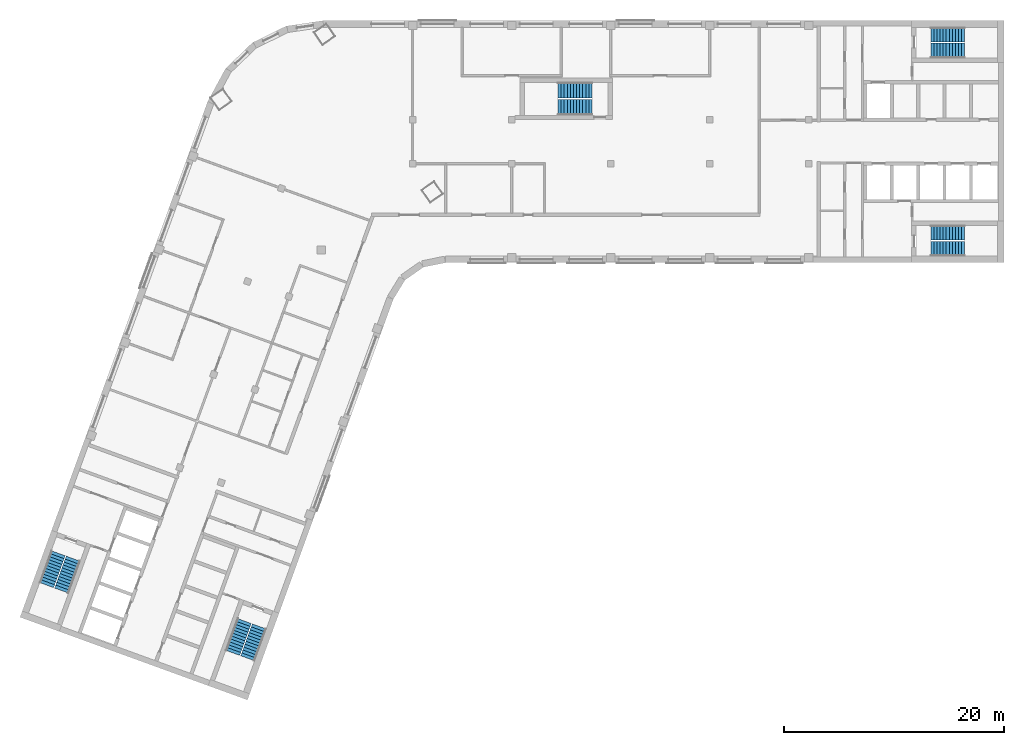
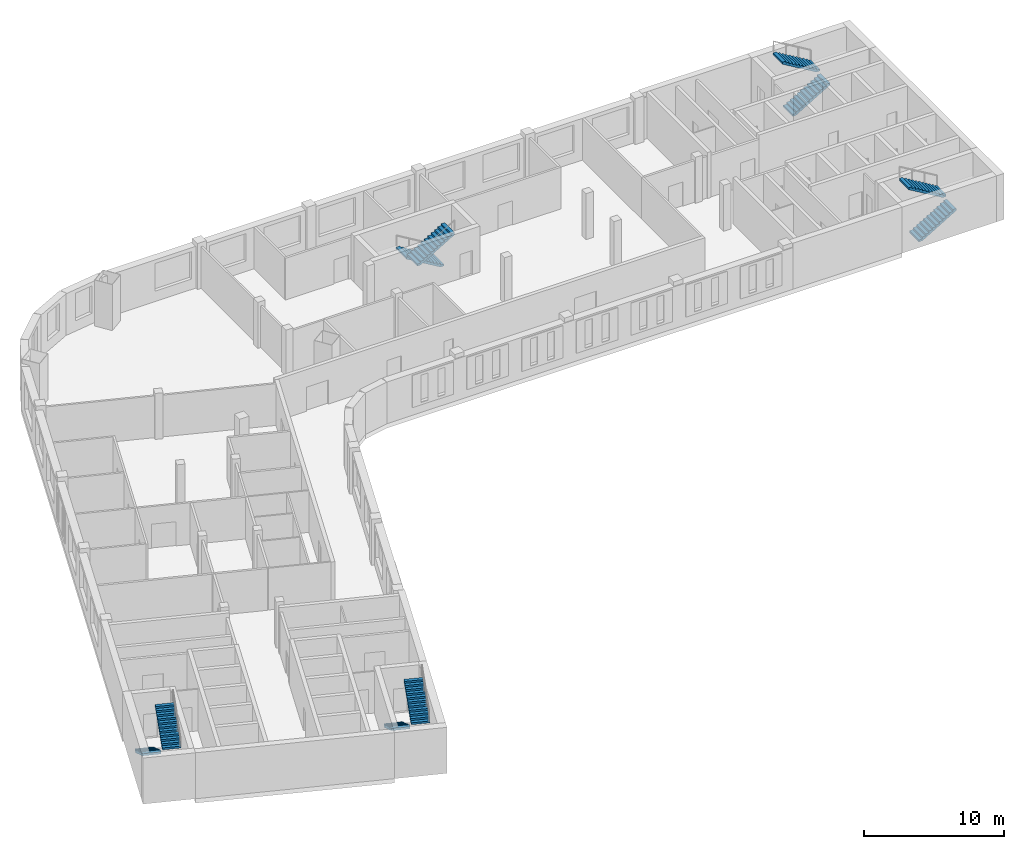
# One storey, part 7 of 8: 10 stair flights, 5 elements without a shape of their own.
"""IFC4 building model written with IfcOpenShell, lengths in metres."""

from ifc_helpers import new_model, si_unit, direction, frame, origin, place, context, subcontext, project, spatial, polyline, outline, extrude, material, type_object, element, aggregate, save


model = new_model("IFC4")

# Units and contexts
model_context = context("Model", 3, precision=1e-05, world=origin(), true_north=direction((0.0, 1.0)))
body_context = subcontext(model_context, "Body", "Model", "MODEL_VIEW")
ifc_project = project(units=[si_unit("LENGTHUNIT", "METRE"), si_unit("AREAUNIT", "SQUARE_METRE"), si_unit("VOLUMEUNIT", "CUBIC_METRE"), si_unit("PLANEANGLEUNIT", "RADIAN"), si_unit("MASSUNIT", "GRAM", prefix="KILO")], contexts=[model_context])

# Site, building, storey
site_placement = place(None, origin())
site = spatial("IfcSite", under=ifc_project, at=site_placement, CompositionType="ELEMENT")
building_placement = place(site_placement, origin())
building = spatial("IfcBuilding", under=site, at=building_placement, Name="Skarvind Civic Tower", CompositionType="ELEMENT")
storey_placement = place(building_placement, frame((0.0, 0.0, 232.0)))
storey = spatial("IfcBuildingStorey", under=building, at=storey_placement, Name="L55", CompositionType="ELEMENT", Elevation=232.0)

# Stair, stair flights
ifc_material = material(Name="Concrete C40/50", Category="concrete")
stair_type_1 = type_object("IfcStairType", Name="Exit stair 1450, half-turn, concrete", PredefinedType="HALF_TURN_STAIR", material=ifc_material)
stair_1_placement = place(storey_placement, origin())
stair_1 = element("IfcStair", 1, at=stair_1_placement, inside=storey, type_object=stair_type_1, Name="Exit stair CM", PredefinedType="HALF_TURN_STAIR")
stair_flight_type_1 = type_object("IfcStairFlightType", Name="Stair flight 1450, concrete", PredefinedType="STRAIGHT", material=ifc_material)
stair_flight_1_placement = place(storey_placement, frame((70.550048828125, 132.675048828125, 0.0), z_axis=(0.0, 0.0, 1.0), x_axis=(-1.0, 0.0, 0.0)))
stair_flight_1 = element("IfcStairFlight", 2, at=stair_flight_1_placement, type_object=stair_flight_type_1, Name="ST-CM flight 1", NumberOfRisers=12, NumberOfTreads=11, PredefinedType="STRAIGHT", RiserHeight=0.166666667, TreadLength=0.28, context=body_context, shape_type="SweptSolid", body=[
    extrude(outline(polyline([(0.0, 0.0), (0.0, 0.166748046875), (0.280029296875, 0.166748046875), (0.280029296875, 0.333251953125), (0.56005859375, 0.333251953125), (0.56005859375, 0.5), (0.840087890625, 0.5), (0.840087890625, 0.666748046875), (1.1201171875, 0.666748046875), (1.1201171875, 0.833251953125), (1.39990234375, 0.833251953125), (1.39990234375, 1.0), (1.679931640625, 1.0), (1.679931640625, 1.166748046875), (1.9599609375, 1.166748046875), (1.9599609375, 1.333251953125), (2.239990234375, 1.333251953125), (2.239990234375, 1.5), (2.52001953125, 1.5), (2.52001953125, 1.666748046875), (2.800048828125, 1.666748046875), (2.800048828125, 1.833251953125), (3.080078125, 1.833251953125), (3.080078125, 2.0), (3.080078125, 1.658935546875), (0.29296875, 0.0), (0.0, 0.0)])), frame((0.0, 0.72509765625, 0.0), z_axis=(0.0, -1.0, 0.0), x_axis=(1.0, 0.0, 0.0)), (0.0, 0.0, 1.0), 1.449951171875),
])
stair_flight_2_placement = place(storey_placement, frame((67.469970703125, 131.125, 2.0), z_axis=(0.0, 0.0, 1.0), x_axis=(1.0, 0.0, 0.0)))
stair_flight_2 = element("IfcStairFlight", 3, at=stair_flight_2_placement, type_object=stair_flight_type_1, Name="ST-CM flight 2", NumberOfRisers=12, NumberOfTreads=11, PredefinedType="STRAIGHT", RiserHeight=0.166666667, TreadLength=0.28, context=body_context, shape_type="SweptSolid", body=[
    extrude(outline(polyline([(0.0, 0.0), (0.0, 0.166748046875), (0.280029296875, 0.166748046875), (0.280029296875, 0.333251953125), (0.56005859375, 0.333251953125), (0.56005859375, 0.5), (0.840087890625, 0.5), (0.840087890625, 0.666748046875), (1.1201171875, 0.666748046875), (1.1201171875, 0.833251953125), (1.39990234375, 0.833251953125), (1.39990234375, 1.0), (1.679931640625, 1.0), (1.679931640625, 1.166748046875), (1.9599609375, 1.166748046875), (1.9599609375, 1.333251953125), (2.239990234375, 1.333251953125), (2.239990234375, 1.5), (2.52001953125, 1.5), (2.52001953125, 1.666748046875), (2.800048828125, 1.666748046875), (2.800048828125, 1.833251953125), (3.080078125, 1.833251953125), (3.080078125, 2.0), (3.080078125, 1.658935546875), (0.29296875, 0.0), (0.0, 0.0)])), frame((0.0, 0.72509765625, 0.0), z_axis=(0.0, -1.0, 0.0), x_axis=(1.0, 0.0, 0.0)), (0.0, 0.0, 1.0), 1.449951171875),
])
aggregate(stair_1, [stair_flight_1, stair_flight_2])

stair_type_2 = type_object("IfcStairType", Name="Exit stair, half-turn, concrete", PredefinedType="HALF_TURN_STAIR", material=ifc_material)
stair_2_placement = place(storey_placement, origin())
stair_2 = element("IfcStair", 4, at=stair_2_placement, inside=storey, type_object=stair_type_2, Name="Exit stair C1S", PredefinedType="HALF_TURN_STAIR")
stair_flight_type_2 = type_object("IfcStairFlightType", Name="Stair flight, concrete", PredefinedType="STRAIGHT", material=ifc_material)
stair_flight_3_placement = place(storey_placement, frame((101.35009765625, 136.27490234375, 0.0), z_axis=(0.0, 0.0, 1.0), x_axis=(1.0, 0.0, 0.0)))
stair_flight_3 = element("IfcStairFlight", 5, at=stair_flight_3_placement, type_object=stair_flight_type_2, Name="ST-C1S flight 1", NumberOfRisers=12, NumberOfTreads=11, PredefinedType="STRAIGHT", RiserHeight=0.166666667, TreadLength=0.28, context=body_context, shape_type="SweptSolid", body=[
    extrude(outline(polyline([(0.0, 0.0), (0.0, 0.166748046875), (0.280029296875, 0.166748046875), (0.280029296875, 0.333251953125), (0.56005859375, 0.333251953125), (0.56005859375, 0.5), (0.840087890625, 0.5), (0.840087890625, 0.666748046875), (1.1201171875, 0.666748046875), (1.1201171875, 0.833251953125), (1.39990234375, 0.833251953125), (1.39990234375, 1.0), (1.679931640625, 1.0), (1.679931640625, 1.166748046875), (1.9599609375, 1.166748046875), (1.9599609375, 1.333251953125), (2.239990234375, 1.333251953125), (2.239990234375, 1.5), (2.52001953125, 1.5), (2.52001953125, 1.666748046875), (2.800048828125, 1.666748046875), (2.800048828125, 1.833251953125), (3.080078125, 1.833251953125), (3.080078125, 2.0), (3.080078125, 1.658935546875), (0.29296875, 0.0), (0.0, 0.0)])), frame((0.0, 0.675048828125, 0.0), z_axis=(0.0, -1.0, 0.0), x_axis=(1.0, 0.0, 0.0)), (0.0, 0.0, 1.0), 1.35009765625),
])
stair_flight_4_placement = place(storey_placement, frame((104.429931640625, 137.72509765625, 2.0), z_axis=(0.0, 0.0, 1.0), x_axis=(-1.0, 0.0, 0.0)))
stair_flight_4 = element("IfcStairFlight", 6, at=stair_flight_4_placement, type_object=stair_flight_type_2, Name="ST-C1S flight 2", NumberOfRisers=12, NumberOfTreads=11, PredefinedType="STRAIGHT", RiserHeight=0.166666667, TreadLength=0.28, context=body_context, shape_type="SweptSolid", body=[
    extrude(outline(polyline([(0.0, 0.0), (0.0, 0.166748046875), (0.280029296875, 0.166748046875), (0.280029296875, 0.333251953125), (0.56005859375, 0.333251953125), (0.56005859375, 0.5), (0.840087890625, 0.5), (0.840087890625, 0.666748046875), (1.1201171875, 0.666748046875), (1.1201171875, 0.833251953125), (1.39990234375, 0.833251953125), (1.39990234375, 1.0), (1.679931640625, 1.0), (1.679931640625, 1.166748046875), (1.9599609375, 1.166748046875), (1.9599609375, 1.333251953125), (2.239990234375, 1.333251953125), (2.239990234375, 1.5), (2.52001953125, 1.5), (2.52001953125, 1.666748046875), (2.800048828125, 1.666748046875), (2.800048828125, 1.833251953125), (3.080078125, 1.833251953125), (3.080078125, 2.0), (3.080078125, 1.658935546875), (0.29296875, 0.0), (0.0, 0.0)])), frame((0.0, 0.675048828125, 0.0), z_axis=(0.0, -1.0, 0.0), x_axis=(1.0, 0.0, 0.0)), (0.0, 0.0, 1.0), 1.35009765625),
])
aggregate(stair_2, [stair_flight_3, stair_flight_4])

stair_3_placement = place(storey_placement, origin())
stair_3 = element("IfcStair", 7, at=stair_3_placement, inside=storey, type_object=stair_type_2, Name="Exit stair C1N", PredefinedType="HALF_TURN_STAIR")
stair_flight_5_placement = place(storey_placement, frame((101.35009765625, 118.27490234375, 0.0), z_axis=(0.0, 0.0, 1.0), x_axis=(1.0, 0.0, 0.0)))
stair_flight_5 = element("IfcStairFlight", 8, at=stair_flight_5_placement, type_object=stair_flight_type_2, Name="ST-C1N flight 1", NumberOfRisers=12, NumberOfTreads=11, PredefinedType="STRAIGHT", RiserHeight=0.166666667, TreadLength=0.28, context=body_context, shape_type="SweptSolid", body=[
    extrude(outline(polyline([(0.0, 0.0), (0.0, 0.166748046875), (0.280029296875, 0.166748046875), (0.280029296875, 0.333251953125), (0.56005859375, 0.333251953125), (0.56005859375, 0.5), (0.840087890625, 0.5), (0.840087890625, 0.666748046875), (1.1201171875, 0.666748046875), (1.1201171875, 0.833251953125), (1.39990234375, 0.833251953125), (1.39990234375, 1.0), (1.679931640625, 1.0), (1.679931640625, 1.166748046875), (1.9599609375, 1.166748046875), (1.9599609375, 1.333251953125), (2.239990234375, 1.333251953125), (2.239990234375, 1.5), (2.52001953125, 1.5), (2.52001953125, 1.666748046875), (2.800048828125, 1.666748046875), (2.800048828125, 1.833251953125), (3.080078125, 1.833251953125), (3.080078125, 2.0), (3.080078125, 1.658935546875), (0.29296875, 0.0), (0.0, 0.0)])), frame((0.0, 0.675048828125, 0.0), z_axis=(0.0, -1.0, 0.0), x_axis=(1.0, 0.0, 0.0)), (0.0, 0.0, 1.0), 1.35009765625),
])
stair_flight_6_placement = place(storey_placement, frame((104.429931640625, 119.72509765625, 2.0), z_axis=(0.0, 0.0, 1.0), x_axis=(-1.0, 0.0, 0.0)))
stair_flight_6 = element("IfcStairFlight", 9, at=stair_flight_6_placement, type_object=stair_flight_type_2, Name="ST-C1N flight 2", NumberOfRisers=12, NumberOfTreads=11, PredefinedType="STRAIGHT", RiserHeight=0.166666667, TreadLength=0.28, context=body_context, shape_type="SweptSolid", body=[
    extrude(outline(polyline([(0.0, 0.0), (0.0, 0.166748046875), (0.280029296875, 0.166748046875), (0.280029296875, 0.333251953125), (0.56005859375, 0.333251953125), (0.56005859375, 0.5), (0.840087890625, 0.5), (0.840087890625, 0.666748046875), (1.1201171875, 0.666748046875), (1.1201171875, 0.833251953125), (1.39990234375, 0.833251953125), (1.39990234375, 1.0), (1.679931640625, 1.0), (1.679931640625, 1.166748046875), (1.9599609375, 1.166748046875), (1.9599609375, 1.333251953125), (2.239990234375, 1.333251953125), (2.239990234375, 1.5), (2.52001953125, 1.5), (2.52001953125, 1.666748046875), (2.800048828125, 1.666748046875), (2.800048828125, 1.833251953125), (3.080078125, 1.833251953125), (3.080078125, 2.0), (3.080078125, 1.658935546875), (0.29296875, 0.0), (0.0, 0.0)])), frame((0.0, 0.675048828125, 0.0), z_axis=(0.0, -1.0, 0.0), x_axis=(1.0, 0.0, 0.0)), (0.0, 0.0, 1.0), 1.35009765625),
])
aggregate(stair_3, [stair_flight_5, stair_flight_6])

stair_4_placement = place(storey_placement, origin())
stair_4 = element("IfcStair", 10, at=stair_4_placement, inside=storey, type_object=stair_type_2, Name="Exit stair C2S", PredefinedType="HALF_TURN_STAIR")
stair_flight_7_placement = place(storey_placement, frame((38.949462890625, 84.43408203125, 0.0), z_axis=(0.0, 0.0, 1.0), x_axis=(-0.342020143326, -0.939692620786, 0.0)))
stair_flight_7 = element("IfcStairFlight", 11, at=stair_flight_7_placement, type_object=stair_flight_type_2, Name="ST-C2S flight 1", NumberOfRisers=12, NumberOfTreads=11, PredefinedType="STRAIGHT", RiserHeight=0.166666667, TreadLength=0.28, context=body_context, shape_type="SweptSolid", body=[
    extrude(outline(polyline([(0.0, 0.0), (0.0, 0.166748046875), (0.280029296875, 0.166748046875), (0.280029296875, 0.333251953125), (0.56005859375, 0.333251953125), (0.56005859375, 0.5), (0.840087890625, 0.5), (0.840087890625, 0.666748046875), (1.1201171875, 0.666748046875), (1.1201171875, 0.833251953125), (1.39990234375, 0.833251953125), (1.39990234375, 1.0), (1.679931640625, 1.0), (1.679931640625, 1.166748046875), (1.9599609375, 1.166748046875), (1.9599609375, 1.333251953125), (2.239990234375, 1.333251953125), (2.239990234375, 1.5), (2.52001953125, 1.5), (2.52001953125, 1.666748046875), (2.800048828125, 1.666748046875), (2.800048828125, 1.833251953125), (3.080078125, 1.833251953125), (3.080078125, 2.0), (3.080078125, 1.658935546875), (0.29296875, 0.0), (0.0, 0.0)])), frame((0.0, 0.675048828125, 0.0), z_axis=(0.0, -1.0, 0.0), x_axis=(1.0, 0.0, 0.0)), (0.0, 0.0, 1.0), 1.35009765625),
])
stair_flight_8_placement = place(storey_placement, frame((39.258544921875, 81.0439453125, 2.0), z_axis=(0.0, 0.0, 1.0), x_axis=(0.342020143326, 0.939692620786, 0.0)))
stair_flight_8 = element("IfcStairFlight", 12, at=stair_flight_8_placement, type_object=stair_flight_type_2, Name="ST-C2S flight 2", NumberOfRisers=12, NumberOfTreads=11, PredefinedType="STRAIGHT", RiserHeight=0.166666667, TreadLength=0.28, context=body_context, shape_type="SweptSolid", body=[
    extrude(outline(polyline([(0.0, 0.0), (0.0, 0.166748046875), (0.280029296875, 0.166748046875), (0.280029296875, 0.333251953125), (0.56005859375, 0.333251953125), (0.56005859375, 0.5), (0.840087890625, 0.5), (0.840087890625, 0.666748046875), (1.1201171875, 0.666748046875), (1.1201171875, 0.833251953125), (1.39990234375, 0.833251953125), (1.39990234375, 1.0), (1.679931640625, 1.0), (1.679931640625, 1.166748046875), (1.9599609375, 1.166748046875), (1.9599609375, 1.333251953125), (2.239990234375, 1.333251953125), (2.239990234375, 1.5), (2.52001953125, 1.5), (2.52001953125, 1.666748046875), (2.800048828125, 1.666748046875), (2.800048828125, 1.833251953125), (3.080078125, 1.833251953125), (3.080078125, 2.0), (3.080078125, 1.658935546875), (0.29296875, 0.0), (0.0, 0.0)])), frame((0.0, 0.675048828125, 0.0), z_axis=(0.0, -1.0, 0.0), x_axis=(1.0, 0.0, 0.0)), (0.0, 0.0, 1.0), 1.35009765625),
])
aggregate(stair_4, [stair_flight_7, stair_flight_8])

stair_5_placement = place(storey_placement, origin())
stair_5 = element("IfcStair", 13, at=stair_5_placement, inside=storey, type_object=stair_type_2, Name="Exit stair C2N", PredefinedType="HALF_TURN_STAIR")
stair_flight_9_placement = place(storey_placement, frame((22.034912109375, 90.590576171875, 0.0), z_axis=(0.0, 0.0, 1.0), x_axis=(-0.342020143326, -0.939692620786, 0.0)))
stair_flight_9 = element("IfcStairFlight", 14, at=stair_flight_9_placement, type_object=stair_flight_type_2, Name="ST-C2N flight 1", NumberOfRisers=12, NumberOfTreads=11, PredefinedType="STRAIGHT", RiserHeight=0.166666667, TreadLength=0.28, context=body_context, shape_type="SweptSolid", body=[
    extrude(outline(polyline([(0.0, 0.0), (0.0, 0.166748046875), (0.280029296875, 0.166748046875), (0.280029296875, 0.333251953125), (0.56005859375, 0.333251953125), (0.56005859375, 0.5), (0.840087890625, 0.5), (0.840087890625, 0.666748046875), (1.1201171875, 0.666748046875), (1.1201171875, 0.833251953125), (1.39990234375, 0.833251953125), (1.39990234375, 1.0), (1.679931640625, 1.0), (1.679931640625, 1.166748046875), (1.9599609375, 1.166748046875), (1.9599609375, 1.333251953125), (2.239990234375, 1.333251953125), (2.239990234375, 1.5), (2.52001953125, 1.5), (2.52001953125, 1.666748046875), (2.800048828125, 1.666748046875), (2.800048828125, 1.833251953125), (3.080078125, 1.833251953125), (3.080078125, 2.0), (3.080078125, 1.658935546875), (0.29296875, 0.0), (0.0, 0.0)])), frame((0.0, 0.675048828125, 0.0), z_axis=(0.0, -1.0, 0.0), x_axis=(1.0, 0.0, 0.0)), (0.0, 0.0, 1.0), 1.35009765625),
])
stair_flight_10_placement = place(storey_placement, frame((22.343994140625, 87.2001953125, 2.0), z_axis=(0.0, 0.0, 1.0), x_axis=(0.342020143326, 0.939692620786, 0.0)))
stair_flight_10 = element("IfcStairFlight", 15, at=stair_flight_10_placement, type_object=stair_flight_type_2, Name="ST-C2N flight 2", NumberOfRisers=12, NumberOfTreads=11, PredefinedType="STRAIGHT", RiserHeight=0.166666667, TreadLength=0.28, context=body_context, shape_type="SweptSolid", body=[
    extrude(outline(polyline([(0.0, 0.0), (0.0, 0.166748046875), (0.280029296875, 0.166748046875), (0.280029296875, 0.333251953125), (0.56005859375, 0.333251953125), (0.56005859375, 0.5), (0.840087890625, 0.5), (0.840087890625, 0.666748046875), (1.1201171875, 0.666748046875), (1.1201171875, 0.833251953125), (1.39990234375, 0.833251953125), (1.39990234375, 1.0), (1.679931640625, 1.0), (1.679931640625, 1.166748046875), (1.9599609375, 1.166748046875), (1.9599609375, 1.333251953125), (2.239990234375, 1.333251953125), (2.239990234375, 1.5), (2.52001953125, 1.5), (2.52001953125, 1.666748046875), (2.800048828125, 1.666748046875), (2.800048828125, 1.833251953125), (3.080078125, 1.833251953125), (3.080078125, 2.0), (3.080078125, 1.658935546875), (0.29296875, 0.0), (0.0, 0.0)])), frame((0.0, 0.675048828125, 0.0), z_axis=(0.0, -1.0, 0.0), x_axis=(1.0, 0.0, 0.0)), (0.0, 0.0, 1.0), 1.35009765625),
])
aggregate(stair_5, [stair_flight_9, stair_flight_10])

save(model, "model.ifc")
